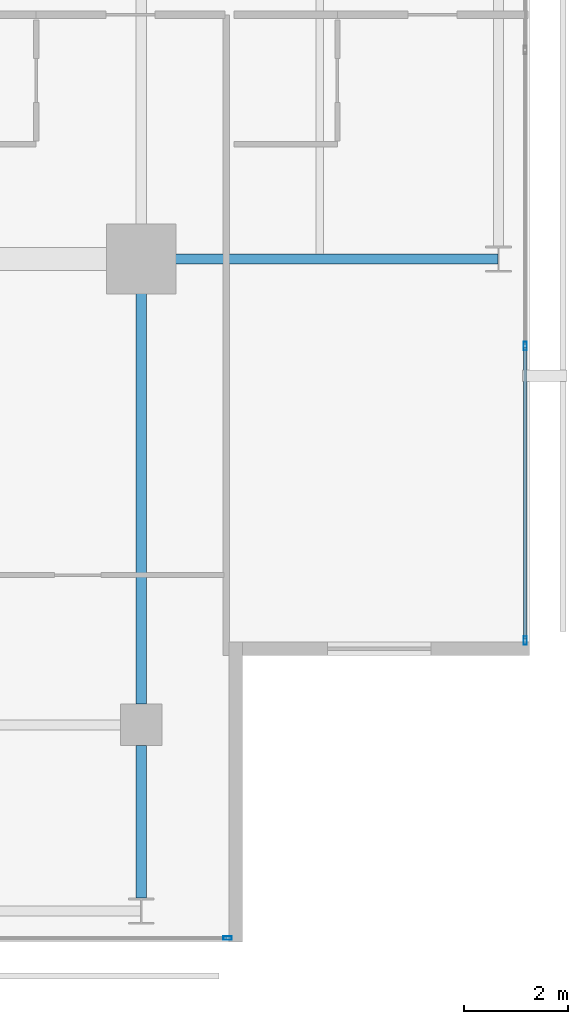
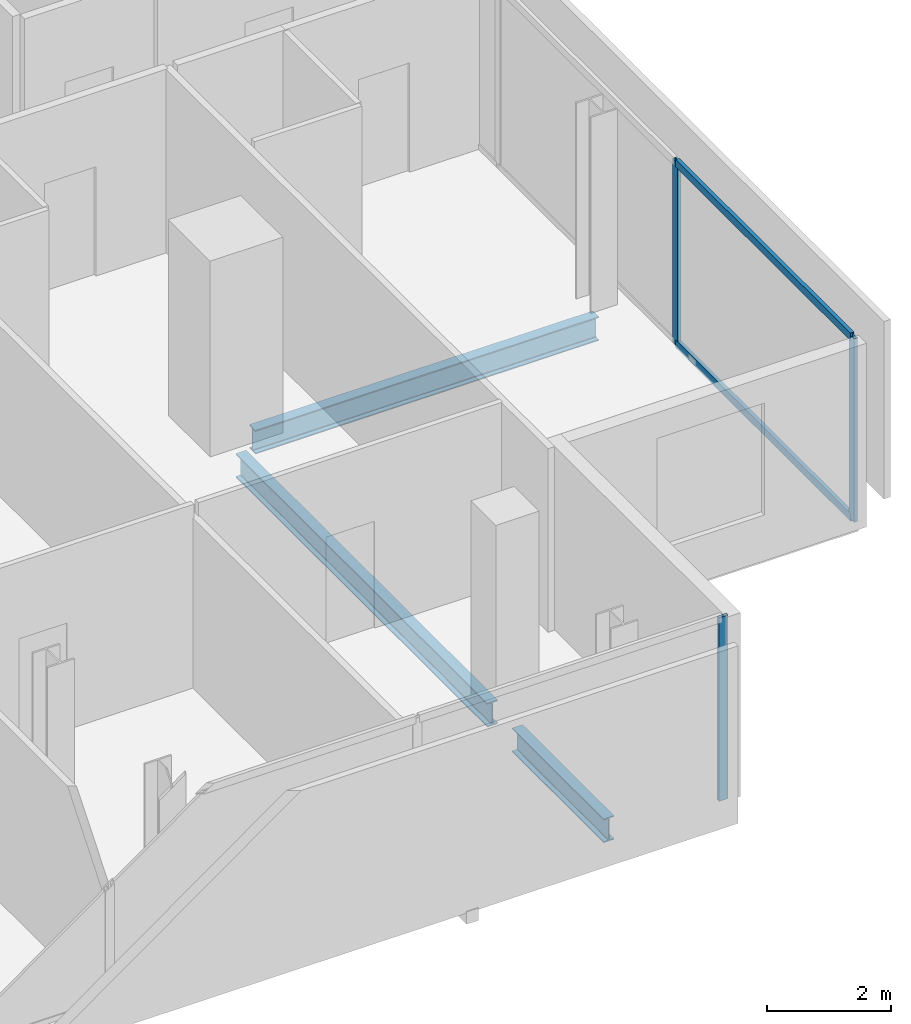
# One storey, part 11 of 24: 5 members, 3 beams, 2 elements without a shape of their own.
"""IFC4 building model written with IfcOpenShell, lengths in metres."""

from ifc_helpers import new_model, si_unit, direction, frame, origin, origin_2d, place, context, subcontext, project, spatial, hollow_rectangle, i_section, extrude, material, layer, layer_set, material_profile, profile_set, type_object, element, aggregate, save


model = new_model("IFC4")

# Units and contexts
model_context = context("Model", 3, precision=1e-05, world=origin(), true_north=direction((0.0, 1.0)))
body_context = subcontext(model_context, "Body", "Model", "MODEL_VIEW")
ifc_project = project(units=[si_unit("LENGTHUNIT", "METRE"), si_unit("AREAUNIT", "SQUARE_METRE"), si_unit("VOLUMEUNIT", "CUBIC_METRE"), si_unit("PLANEANGLEUNIT", "RADIAN"), si_unit("MASSUNIT", "GRAM", prefix="KILO")], contexts=[model_context])

# Site, building, storey
site_placement = place(None, origin())
site = spatial("IfcSite", under=ifc_project, at=site_placement, CompositionType="ELEMENT")
building_placement = place(site_placement, origin())
building = spatial("IfcBuilding", under=site, at=building_placement, Name="Maruvema Waterfront Hotel and Observation Tower", CompositionType="ELEMENT")
storey_placement = place(building_placement, frame((0.0, 0.0, 325.85009765625)))
storey = spatial("IfcBuildingStorey", under=building, at=storey_placement, Name="L80", CompositionType="ELEMENT", Elevation=325.85009765625)

# Curtain wall, members
ifc_material_1 = material(Name="Anodised bronze aluminium and solar-control low-E IGU", Category="aluminium")
ifc_layer = layer(ifc_material_1, 0.159912109375, Name="Zone 4 Sky Residence Inner Curtain Wall System CW-05")
ifc_layer_set = layer_set([ifc_layer], Name="Anodised bronze aluminium and solar-control low-E IGU")
curtain_wall_type = type_object("IfcCurtainWallType", Name="Zone 4 Sky Residence Inner Curtain Wall System CW-05", PredefinedType="USERDEFINED", material=ifc_layer_set)
curtain_wall_1_placement = place(storey_placement, origin())
curtain_wall_1 = element("IfcCurtainWall", 1, at=curtain_wall_1_placement, inside=storey, type_object=curtain_wall_type, Name="L80 Curtain Wall CW-L80-E", ObjectType="UNITISED CURTAIN WALL", PredefinedType="USERDEFINED")
ifc_material_2 = material(Name="Anodised architectural bronze aluminium", Category="aluminium")
ifc_material_profile_1 = material_profile(ifc_material_2, hollow_rectangle(XDim=0.070068359375, YDim=0.14990234375, WallThickness=0.00390625, at=origin_2d()), Name="ALU-T70x150")
ifc_profile_set_1 = profile_set([ifc_material_profile_1], Name="Anodised architectural bronze aluminium")
member_type_1 = type_object("IfcMemberType", Name="Curtain Wall Horizontal Transom ALU-T70x150", PredefinedType="USERDEFINED", material=ifc_profile_set_1)
member_1_placement = place(storey_placement, frame((57.820068359375, 19.659912109375, 0.02978515625), z_axis=(0.0, 1.0, 0.0), x_axis=(-1.0, 0.0, 0.0)))
member_1 = element("IfcMember", 2, at=member_1_placement, type_object=member_type_1, Name="CW-05 transom 1.1", ObjectType="TRANSOM", PredefinedType="USERDEFINED", context=body_context, shape_type="SweptSolid", body=[
    extrude(hollow_rectangle(XDim=0.070068359375, YDim=0.14990234375, WallThickness=0.00390625, at=origin_2d()), origin(), (0.0, 0.0, 1.0), 5.630126953125),
])
member_2_placement = place(storey_placement, frame((57.820068359375, 19.659912109375, 3.579833984375), z_axis=(0.0, 1.0, 0.0), x_axis=(-1.0, 0.0, 0.0)))
member_2 = element("IfcMember", 3, at=member_2_placement, type_object=member_type_1, Name="CW-05 transom 1.2", ObjectType="TRANSOM", PredefinedType="USERDEFINED", context=body_context, shape_type="SweptSolid", body=[
    extrude(hollow_rectangle(XDim=0.070068359375, YDim=0.14990234375, WallThickness=0.00390625, at=origin_2d()), origin(), (0.0, 0.0, 1.0), 5.630126953125),
])

# Curtain wall, member
curtain_wall_2_placement = place(storey_placement, origin())
curtain_wall_2 = element("IfcCurtainWall", 4, at=curtain_wall_2_placement, inside=storey, type_object=curtain_wall_type, Name="L80 Curtain Wall CW-L80-S", ObjectType="UNITISED CURTAIN WALL", PredefinedType="USERDEFINED")
ifc_material_3 = material(Name="Anodised architectural bronze aluminium", Category="aluminium")
ifc_material_profile_2 = material_profile(ifc_material_3, hollow_rectangle(XDim=0.06494140625, YDim=0.1650390625, WallThickness=0.00390625, at=origin_2d()), Name="ALU-M65x165")
ifc_profile_set_2 = profile_set([ifc_material_profile_2], Name="Anodised architectural bronze aluminium")
member_type_2 = type_object("IfcMemberType", Name="Curtain Wall Primary Mullion ALU-M65x165", PredefinedType="MULLION", material=ifc_profile_set_2)
member_3_placement = place(storey_placement, frame((52.070068359375, 13.8798828125, 0.0), z_axis=(0.0, 0.0, 1.0), x_axis=(0.0, 1.0, 0.0)))
member_3 = element("IfcMember", 5, at=member_3_placement, type_object=member_type_2, Name="CW-05 mullion 6", PredefinedType="MULLION", context=body_context, shape_type="SweptSolid", body=[
    extrude(hollow_rectangle(XDim=0.06494140625, YDim=0.1650390625, WallThickness=0.00390625, at=origin_2d()), origin(), (0.0, 0.0, 1.0), 3.60986328125),
])
aggregate(curtain_wall_2, [member_3])

# Member
member_4_placement = place(storey_placement, frame((57.820068359375, 19.6298828125, 0.0), z_axis=(0.0, 0.0, 1.0), x_axis=(-1.0, 0.0, 0.0)))
member_4 = element("IfcMember", 6, at=member_4_placement, type_object=member_type_2, Name="CW-05 mullion 1", PredefinedType="MULLION", context=body_context, shape_type="SweptSolid", body=[
    extrude(hollow_rectangle(XDim=0.06494140625, YDim=0.1650390625, WallThickness=0.00390625, at=origin_2d()), origin(), (0.0, 0.0, 1.0), 3.60986328125),
])

member_5_placement = place(storey_placement, frame((57.820068359375, 25.320068359375, 0.0), z_axis=(0.0, 0.0, 1.0), x_axis=(-1.0, 0.0, 0.0)))
member_5 = element("IfcMember", 7, at=member_5_placement, type_object=member_type_2, Name="CW-05 mullion 2", PredefinedType="MULLION", context=body_context, shape_type="SweptSolid", body=[
    extrude(hollow_rectangle(XDim=0.06494140625, YDim=0.1650390625, WallThickness=0.00390625, at=origin_2d()), origin(), (0.0, 0.0, 1.0), 3.60986328125),
])

aggregate(curtain_wall_1, [member_4, member_5, member_1, member_2])

# Beams
ifc_material_4 = material(Name="Steel ASTM A572 Grade 50", Category="steel")
ifc_material_profile_3 = material_profile(ifc_material_4, i_section(OverallWidth=0.194091796875, OverallDepth=0.468994140625, WebThickness=0.0126953125, FlangeThickness=0.0205078125, FilletRadius=0.014892578125, at=origin_2d()), Name="W460x106.0")
ifc_profile_set_3 = profile_set([ifc_material_profile_3], Name="Steel ASTM A572 Grade 50")
beam_type = type_object("IfcBeamType", Name="Primary Floor Girder W460x106.0", PredefinedType="BEAM", material=ifc_profile_set_3)
beam_1_placement = place(storey_placement, frame((50.89990234375, 27.0, -0.474609375), z_axis=(1.0, 0.0, 0.0), x_axis=(0.0, 1.0, 0.0)))
element("IfcBeam", 8, at=beam_1_placement, inside=storey, type_object=beam_type, Name="L80 Floor Girder EW-09", PredefinedType="BEAM", context=body_context, shape_type="SweptSolid", body=[
    extrude(i_section(OverallWidth=0.194091796875, OverallDepth=0.468994140625, WebThickness=0.0126953125, FlangeThickness=0.0205078125, FilletRadius=0.014892578125, at=origin_2d()), origin(), (0.0, 0.0, 1.0), 6.38916015625),
])
beam_2_placement = place(storey_placement, frame((50.39990234375, 14.64990234375, -0.474609375), z_axis=(0.0, 1.0, 0.0), x_axis=(-1.0, 0.0, 0.0)))
element("IfcBeam", 9, at=beam_2_placement, inside=storey, type_object=beam_type, Name="L80 Floor Girder NS-11", PredefinedType="BEAM", context=body_context, shape_type="SweptSolid", body=[
    extrude(i_section(OverallWidth=0.194091796875, OverallDepth=0.468994140625, WebThickness=0.0126953125, FlangeThickness=0.0205078125, FilletRadius=0.014892578125, at=origin_2d()), origin(), (0.0, 0.0, 1.0), 2.9501953125),
])
beam_3_placement = place(storey_placement, frame((50.39990234375, 18.39990234375, -0.474609375), z_axis=(0.0, 1.0, 0.0), x_axis=(-1.0, 0.0, 0.0)))
element("IfcBeam", 10, at=beam_3_placement, inside=storey, type_object=beam_type, Name="L80 Floor Girder NS-12", PredefinedType="BEAM", context=body_context, shape_type="SweptSolid", body=[
    extrude(i_section(OverallWidth=0.194091796875, OverallDepth=0.468994140625, WebThickness=0.0126953125, FlangeThickness=0.0205078125, FilletRadius=0.014892578125, at=origin_2d()), origin(), (0.0, 0.0, 1.0), 8.10009765625),
])

save(model, "model.ifc")
